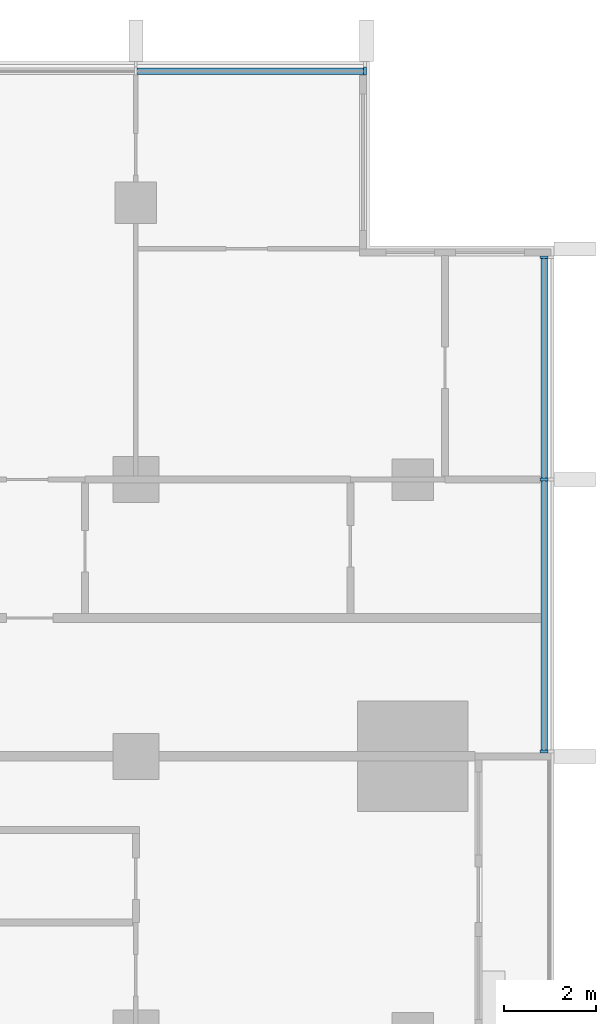
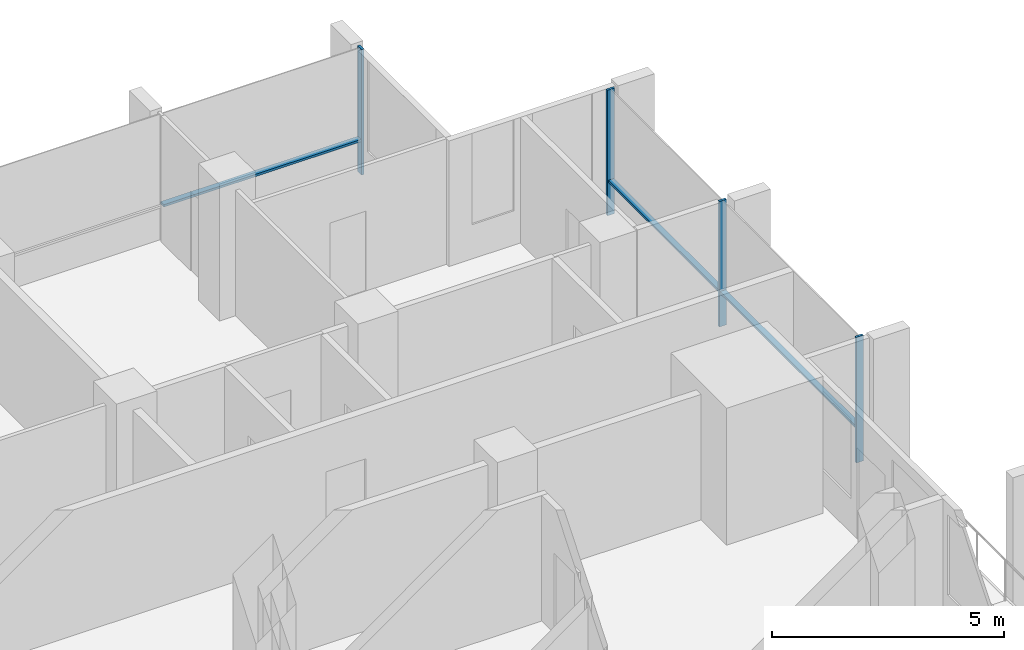
# One storey, part 5 of 17: 7 members, 2 elements without a shape of their own.
"""IFC4 building model written with IfcOpenShell, lengths in metres."""

from ifc_helpers import new_model, si_unit, direction, frame, origin, origin_2d, place, context, subcontext, project, spatial, rectangle, extrude, material, material_profile, profile_set, type_object, element, aggregate, save


model = new_model("IFC4")

# Units and contexts
model_context = context("Model", 3, precision=1e-05, world=origin(), true_north=direction((0.0, 1.0)))
body_context = subcontext(model_context, "Body", "Model", "MODEL_VIEW")
ifc_project = project(units=[si_unit("LENGTHUNIT", "METRE"), si_unit("AREAUNIT", "SQUARE_METRE"), si_unit("VOLUMEUNIT", "CUBIC_METRE"), si_unit("PLANEANGLEUNIT", "RADIAN"), si_unit("MASSUNIT", "GRAM", prefix="KILO")], contexts=[model_context])

# Site, building, storey
site_placement = place(None, origin())
site = spatial("IfcSite", under=ifc_project, at=site_placement, CompositionType="ELEMENT")
building_placement = place(site_placement, origin())
building = spatial("IfcBuilding", under=site, at=building_placement, Name="Finial Court Residences", CompositionType="ELEMENT")
storey_placement = place(building_placement, frame((0.0, 0.0, 167.300048828125)))
storey = spatial("IfcBuildingStorey", under=building, at=storey_placement, Name="L41", CompositionType="ELEMENT", Elevation=167.300048828125)

# Curtain wall, member
ifc_material = material(Name="Bronze anodised aluminium", Category="aluminium")
curtain_wall_type = type_object("IfcCurtainWallType", Name="Unitised curtain wall, upper zones", PredefinedType="NOTDEFINED", material=ifc_material)
curtain_wall_1_placement = place(storey_placement, origin())
curtain_wall_1 = element("IfcCurtainWall", 1, at=curtain_wall_1_placement, inside=storey, type_object=curtain_wall_type, Name="E-L41-CW-N3", PredefinedType="NOTDEFINED")
ifc_material_profile_1 = material_profile(ifc_material, rectangle(XDim=0.175048828125, YDim=0.06005859375, at=origin_2d()), Name="CW2 mullion 60 x 175")
ifc_profile_set_1 = profile_set([ifc_material_profile_1], Name="Bronze anodised aluminium")
member_type_1 = type_object("IfcMemberType", Name="CW2 mullion 60 x 175", PredefinedType="MULLION", material=ifc_profile_set_1)
member_1_placement = place(storey_placement, frame((15.469970703125, 22.35009765625, 0.0), z_axis=(0.0, 0.0, 1.0), x_axis=(0.0, 1.0, 0.0)))
member_1 = element("IfcMember", 2, at=member_1_placement, type_object=member_type_1, Name="CW2 mullion 3", PredefinedType="MULLION", context=body_context, shape_type="SweptSolid", body=[
    extrude(rectangle(XDim=0.175048828125, YDim=0.06005859375, at=origin_2d()), origin(), (0.0, 0.0, 1.0), 3.300048828125),
])

# Curtain wall, members
curtain_wall_2_placement = place(storey_placement, origin())
curtain_wall_2 = element("IfcCurtainWall", 3, at=curtain_wall_2_placement, inside=storey, type_object=curtain_wall_type, Name="E-L41-CW-E6", PredefinedType="NOTDEFINED")
member_2_placement = place(storey_placement, frame((19.35009765625, 7.60498046875, 0.0), z_axis=(0.0, 0.0, 1.0), x_axis=(-1.0, 0.0, 0.0)))
member_2 = element("IfcMember", 4, at=member_2_placement, type_object=member_type_1, Name="CW2 mullion 1", PredefinedType="MULLION", context=body_context, shape_type="SweptSolid", body=[
    extrude(rectangle(XDim=0.175048828125, YDim=0.06005859375, at=origin_2d()), origin(), (0.0, 0.0, 1.0), 3.300048828125),
])
member_3_placement = place(storey_placement, frame((19.35009765625, 13.5, 0.0), z_axis=(0.0, 0.0, 1.0), x_axis=(-1.0, 0.0, 0.0)))
member_3 = element("IfcMember", 5, at=member_3_placement, type_object=member_type_1, Name="CW2 mullion 2", PredefinedType="MULLION", context=body_context, shape_type="SweptSolid", body=[
    extrude(rectangle(XDim=0.175048828125, YDim=0.06005859375, at=origin_2d()), origin(), (0.0, 0.0, 1.0), 3.300048828125),
])
member_4_placement = place(storey_placement, frame((19.35009765625, 18.320068359375, 0.0), z_axis=(0.0, 0.0, 1.0), x_axis=(-1.0, 0.0, 0.0)))
member_4 = element("IfcMember", 6, at=member_4_placement, type_object=member_type_1, Name="CW2 mullion 3", PredefinedType="MULLION", context=body_context, shape_type="SweptSolid", body=[
    extrude(rectangle(XDim=0.175048828125, YDim=0.06005859375, at=origin_2d()), origin(), (0.0, 0.0, 1.0), 3.300048828125),
])

# Member
ifc_material_profile_2 = material_profile(ifc_material, rectangle(XDim=0.139892578125, YDim=0.06005859375, at=origin_2d()), Name="CW2 transom 60 x 140")
ifc_profile_set_2 = profile_set([ifc_material_profile_2], Name="Bronze anodised aluminium")
member_type_2 = type_object("IfcMemberType", Name="CW2 transom 60 x 140", PredefinedType="USERDEFINED", material=ifc_profile_set_2)
member_5_placement = place(storey_placement, frame((10.530029296875, 22.35009765625, 0.89990234375), z_axis=(1.0, 0.0, 0.0), x_axis=(0.0, 1.0, 0.0)))
member_5 = element("IfcMember", 7, at=member_5_placement, type_object=member_type_2, Name="CW2 transom 2.1", ObjectType="TRANSOM", PredefinedType="USERDEFINED", context=body_context, shape_type="SweptSolid", body=[
    extrude(rectangle(XDim=0.139892578125, YDim=0.06005859375, at=origin_2d()), origin(), (0.0, 0.0, 1.0), 4.909912109375),
])

aggregate(curtain_wall_1, [member_1, member_5])

member_6_placement = place(storey_placement, frame((19.35009765625, 7.635009765625, 0.89990234375), z_axis=(0.0, 1.0, 0.0), x_axis=(-1.0, 0.0, 0.0)))
member_6 = element("IfcMember", 8, at=member_6_placement, type_object=member_type_2, Name="CW2 transom 1.1", ObjectType="TRANSOM", PredefinedType="USERDEFINED", context=body_context, shape_type="SweptSolid", body=[
    extrude(rectangle(XDim=0.139892578125, YDim=0.06005859375, at=origin_2d()), origin(), (0.0, 0.0, 1.0), 5.8349609375),
])

member_7_placement = place(storey_placement, frame((19.35009765625, 13.530029296875, 0.89990234375), z_axis=(0.0, 1.0, 0.0), x_axis=(-1.0, 0.0, 0.0)))
member_7 = element("IfcMember", 9, at=member_7_placement, type_object=member_type_2, Name="CW2 transom 2.1", ObjectType="TRANSOM", PredefinedType="USERDEFINED", context=body_context, shape_type="SweptSolid", body=[
    extrude(rectangle(XDim=0.139892578125, YDim=0.06005859375, at=origin_2d()), origin(), (0.0, 0.0, 1.0), 4.760009765625),
])

aggregate(curtain_wall_2, [member_2, member_3, member_4, member_6, member_7])

save(model, "model.ifc")
